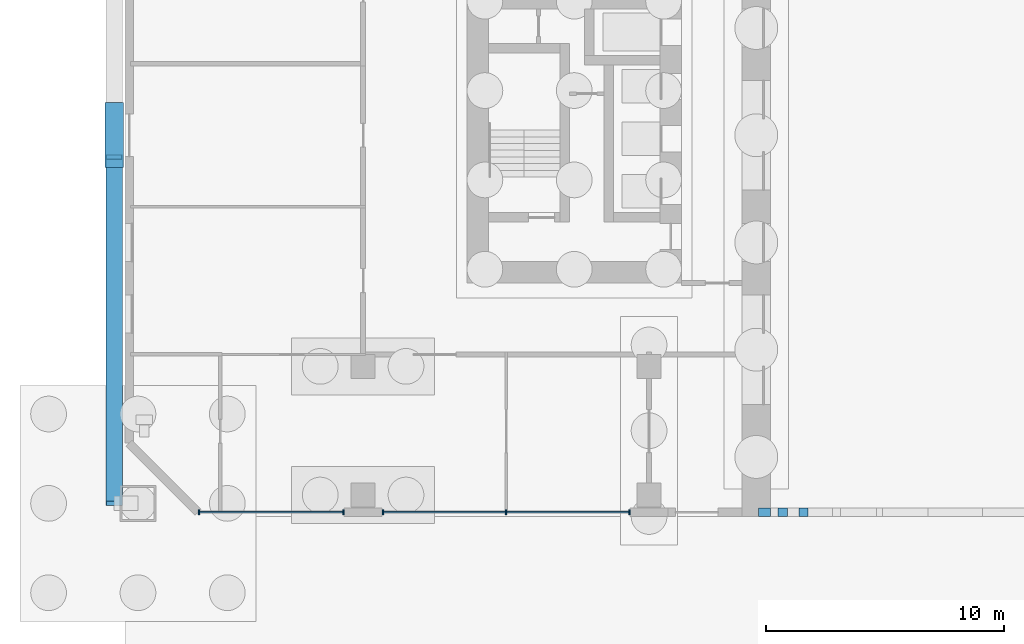
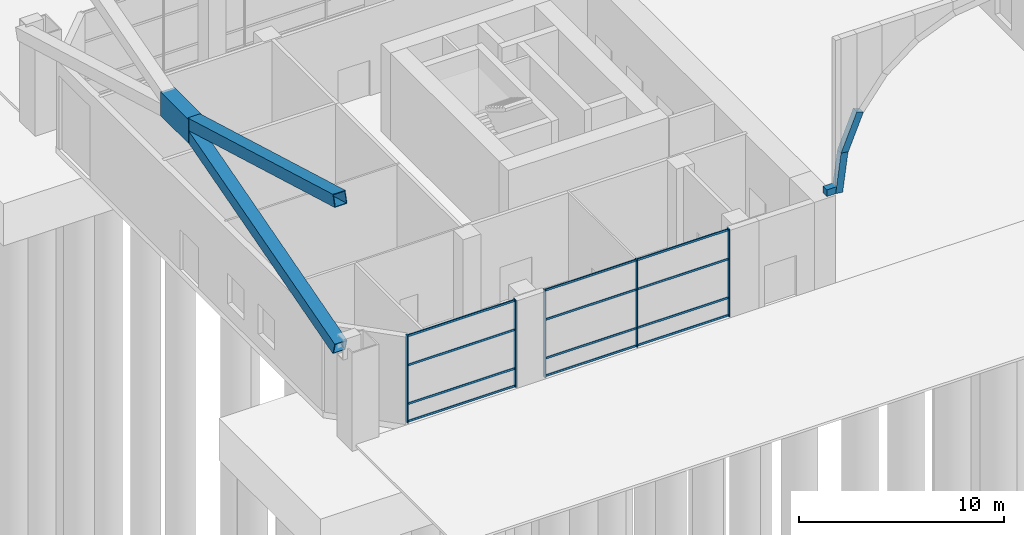
# One storey, part 3 of 26: 20 members, 3 beams, 2 elements without a shape of their own.
"""IFC4 building model written with IfcOpenShell, lengths in metres."""

from ifc_helpers import new_model, si_unit, direction, frame, origin, origin_2d, place, context, subcontext, project, spatial, rectangle, hollow_rectangle, extrude, material, material_profile, profile_set, type_object, element, aggregate, save


model = new_model("IFC4")

# Units and contexts
model_context = context("Model", 3, precision=1e-05, world=origin(), true_north=direction((0.0, 1.0)))
body_context = subcontext(model_context, "Body", "Model", "MODEL_VIEW")
ifc_project = project(units=[si_unit("LENGTHUNIT", "METRE"), si_unit("AREAUNIT", "SQUARE_METRE"), si_unit("VOLUMEUNIT", "CUBIC_METRE"), si_unit("PLANEANGLEUNIT", "RADIAN"), si_unit("MASSUNIT", "GRAM", prefix="KILO")], contexts=[model_context])

# Site, building, storey
site_placement = place(None, origin())
site = spatial("IfcSite", under=ifc_project, at=site_placement, CompositionType="ELEMENT")
building_placement = place(site_placement, origin())
building = spatial("IfcBuilding", under=site, at=building_placement, Name="Tuart Gate Housing", CompositionType="ELEMENT")
storey_placement = place(building_placement, origin())
storey = spatial("IfcBuildingStorey", under=building, at=storey_placement, Name="L00", CompositionType="ELEMENT", Elevation=0.0)

# Members
ifc_material_1 = material(Name="Steel Grade 350", Category="steel")
ifc_material_profile_1 = material_profile(ifc_material_1, rectangle(XDim=2.72705078125, YDim=1.419921875, at=origin_2d()), Name="Brace node plate 2727 x 1420")
ifc_profile_set_1 = profile_set([ifc_material_profile_1], Name="Steel Grade 350")
member_type_1 = type_object("IfcMemberType", Name="Brace node plate 2727 x 1420", PredefinedType="PLATE", material=ifc_profile_set_1)
member_1_placement = place(storey_placement, frame((17.1650390625, 70.0, 9.89990234375), z_axis=(1.0, 0.0, 0.0), x_axis=(0.0, 1.0, 0.0)))
element("IfcMember", 1, at=member_1_placement, inside=storey, type_object=member_type_1, Name="Brace node A zone 0 west", PredefinedType="PLATE", context=body_context, shape_type="SweptSolid", body=[
    extrude(rectangle(XDim=2.72705078125, YDim=1.419921875, at=origin_2d()), origin(), (0.0, 0.0, 1.0), 0.77001953125),
])
ifc_material_2 = material(Name="Steel Grade 350", Category="steel")
ifc_material_profile_2 = material_profile(ifc_material_2, hollow_rectangle(XDim=0.699951171875, YDim=0.699951171875, WallThickness=0.034912109375, at=origin_2d()), Name="BOX 700x700x35")
ifc_profile_set_2 = profile_set([ifc_material_profile_2], Name="Steel Grade 350")
member_type_2 = type_object("IfcMemberType", Name="Mega brace BOX 700x700x35", PredefinedType="BRACE", material=ifc_profile_set_2)
for number, where, z_axis, x_axis, name in (
    (2, (17.550048828125, 54.550048828125, 5.5), (0.0, 0.961755843044, 0.273908193324), (-1.0, 0.0, 0.0), "Mega brace A zone 0 west cross 1 a"),
    (3, (17.550048828125, 69.086181640625, 10.16015625), (0.0, -0.961755843044, 0.273908193324), (1.0, 0.0, 0.0), "Mega brace A zone 0 west cross 2 b"),
):
    element("IfcMember", number, at=place(storey_placement, frame(where, z_axis=z_axis, x_axis=x_axis)), inside=storey, type_object=member_type_2, Name=name, PredefinedType="BRACE", context=body_context, shape_type="SweptSolid", body=[
        extrude(hollow_rectangle(XDim=0.699951171875, YDim=0.699951171875, WallThickness=0.034912109375, at=origin_2d()), origin(), (0.0, 0.0, 1.0), 15.1142578125),
    ])

# Curtain wall, members
ifc_material_3 = material(Name="Aluminium and clear glass", Category="aluminium")
curtain_wall_type = type_object("IfcCurtainWallType", Name="Ground storey glazing", PredefinedType="USERDEFINED", material=ifc_material_3)
curtain_wall_1_placement = place(storey_placement, origin())
curtain_wall_1 = element("IfcCurtainWall", 4, at=curtain_wall_1_placement, inside=storey, type_object=curtain_wall_type, Name="Ground storey glazing A-S L00", ObjectType="GROUND STOREY GLAZING", PredefinedType="USERDEFINED")
ifc_material_4 = material(Name="Anodised aluminium", Category="aluminium")
ifc_material_profile_3 = material_profile(ifc_material_4, rectangle(XDim=0.06005859375, YDim=0.199951171875, at=origin_2d()), Name="60x200")
ifc_profile_set_3 = profile_set([ifc_material_profile_3], Name="Anodised aluminium")
member_type_3 = type_object("IfcMemberType", Name="Mullion 60 x 200", PredefinedType="MULLION", material=ifc_profile_set_3)
member_2_placement = place(storey_placement, frame((21.1044921875, 54.179931640625, 0.0), z_axis=(0.0, 0.0, 1.0), x_axis=(1.0, 0.0, 0.0)))
member_2 = element("IfcMember", 5, at=member_2_placement, type_object=member_type_3, Name="CW2 mullion 1", PredefinedType="MULLION", context=body_context, shape_type="SweptSolid", body=[
    extrude(rectangle(XDim=0.06005859375, YDim=0.199951171875, at=origin_2d()), origin(), (0.0, 0.0, 1.0), 5.199951171875),
])
member_3_placement = place(storey_placement, frame((27.169921875, 54.179931640625, 0.0), z_axis=(0.0, 0.0, 1.0), x_axis=(1.0, 0.0, 0.0)))
member_3 = element("IfcMember", 6, at=member_3_placement, type_object=member_type_3, Name="CW2 mullion 2", PredefinedType="MULLION", context=body_context, shape_type="SweptSolid", body=[
    extrude(rectangle(XDim=0.06005859375, YDim=0.199951171875, at=origin_2d()), origin(), (0.0, 0.0, 1.0), 5.199951171875),
])

curtain_wall_2_placement = place(storey_placement, origin())
curtain_wall_2 = element("IfcCurtainWall", 7, at=curtain_wall_2_placement, inside=storey, type_object=curtain_wall_type, Name="Ground storey glazing A-S L00", ObjectType="GROUND STOREY GLAZING", PredefinedType="USERDEFINED")
member_4_placement = place(storey_placement, frame((28.830078125, 54.179931640625, 0.0), z_axis=(0.0, 0.0, 1.0), x_axis=(1.0, 0.0, 0.0)))
member_4 = element("IfcMember", 8, at=member_4_placement, type_object=member_type_3, Name="CW2 mullion 1", PredefinedType="MULLION", context=body_context, shape_type="SweptSolid", body=[
    extrude(rectangle(XDim=0.06005859375, YDim=0.199951171875, at=origin_2d()), origin(), (0.0, 0.0, 1.0), 5.199951171875),
])
member_5_placement = place(storey_placement, frame((34.0, 54.179931640625, 0.0), z_axis=(0.0, 0.0, 1.0), x_axis=(1.0, 0.0, 0.0)))
member_5 = element("IfcMember", 9, at=member_5_placement, type_object=member_type_3, Name="CW2 mullion 2", PredefinedType="MULLION", context=body_context, shape_type="SweptSolid", body=[
    extrude(rectangle(XDim=0.06005859375, YDim=0.199951171875, at=origin_2d()), origin(), (0.0, 0.0, 1.0), 5.199951171875),
])
member_6_placement = place(storey_placement, frame((39.169921875, 54.179931640625, 0.0), z_axis=(0.0, 0.0, 1.0), x_axis=(1.0, 0.0, 0.0)))
member_6 = element("IfcMember", 10, at=member_6_placement, type_object=member_type_3, Name="CW2 mullion 3", PredefinedType="MULLION", context=body_context, shape_type="SweptSolid", body=[
    extrude(rectangle(XDim=0.06005859375, YDim=0.199951171875, at=origin_2d()), origin(), (0.0, 0.0, 1.0), 5.199951171875),
])

# Beams
ifc_material_5 = material(Name="Concrete C50", Category="concrete")
ifc_material_profile_4 = material_profile(ifc_material_5, rectangle(XDim=0.360107421875, YDim=0.39990234375, at=origin_2d()), Name="RC arch ring 360 x 400")
ifc_profile_set_4 = profile_set([ifc_material_profile_4], Name="Concrete C50")
beam_type = type_object("IfcBeamType", Name="RC arch ring 360 x 400", PredefinedType="BEAM", material=ifc_profile_set_4)
for number, where, z_axis, x_axis, name in (
    (11, (45.29833984375, 54.179931640625, 5.27392578125), (0.130511595593, 0.0, 0.991446782947), (0.0, 1.0, 0.0), "Arch rib beam AS segment 0"),
    (12, (45.587890625, 54.179931640625, 7.527099609375), (0.382704452476, 0.0, 0.923870825416), (0.0, 1.0, 0.0), "Arch rib beam AS segment 1"),
):
    element("IfcBeam", number, at=place(storey_placement, frame(where, z_axis=z_axis, x_axis=x_axis)), inside=storey, type_object=beam_type, Name=name, PredefinedType="BEAM", context=body_context, shape_type="SweptSolid", body=[
        extrude(rectangle(XDim=0.360107421875, YDim=0.39990234375, at=origin_2d()), origin(), (0.0, 0.0, 1.0), 2.3232421875),
    ])
beam_placement = place(storey_placement, frame((44.60009765625, 54.179931640625, 5.5), z_axis=(1.0, 0.0, 0.0), x_axis=(0.0, 1.0, 0.0)))
element("IfcBeam", 13, at=beam_placement, inside=storey, type_object=beam_type, Name="Arch seat beam AS west", PredefinedType="BEAM", context=body_context, shape_type="SweptSolid", body=[
    extrude(rectangle(XDim=0.360107421875, YDim=0.39990234375, at=origin_2d()), origin(), (0.0, 0.0, 1.0), 0.849853515625),
])

# Member
ifc_material_6 = material(Name="Anodised aluminium", Category="aluminium")
ifc_material_profile_5 = material_profile(ifc_material_6, rectangle(XDim=0.06005859375, YDim=0.1201171875, at=origin_2d()), Name="60x120")
ifc_profile_set_5 = profile_set([ifc_material_profile_5], Name="Anodised aluminium")
member_type_4 = type_object("IfcMemberType", Name="Transom 60 x 120", PredefinedType="USERDEFINED", material=ifc_profile_set_5)
member_7_placement = place(storey_placement, frame((21.134521484375, 54.179931640625, 0.06005859375), z_axis=(1.0, 0.0, 0.0), x_axis=(0.0, 1.0, 0.0)))
member_7 = element("IfcMember", 14, at=member_7_placement, type_object=member_type_4, Name="CW2 transom 1.1", ObjectType="TRANSOM", PredefinedType="USERDEFINED", context=body_context, shape_type="SweptSolid", body=[
    extrude(rectangle(XDim=0.06005859375, YDim=0.1201171875, at=origin_2d()), origin(), (0.0, 0.0, 1.0), 6.00537109375),
])

member_8_placement = place(storey_placement, frame((21.134521484375, 54.179931640625, 1.10009765625), z_axis=(1.0, 0.0, 0.0), x_axis=(0.0, 1.0, 0.0)))
member_8 = element("IfcMember", 15, at=member_8_placement, type_object=member_type_4, Name="CW2 transom 1.2", ObjectType="TRANSOM", PredefinedType="USERDEFINED", context=body_context, shape_type="SweptSolid", body=[
    extrude(rectangle(XDim=0.06005859375, YDim=0.1201171875, at=origin_2d()), origin(), (0.0, 0.0, 1.0), 6.00537109375),
])

member_9_placement = place(storey_placement, frame((21.134521484375, 54.179931640625, 3.39990234375), z_axis=(1.0, 0.0, 0.0), x_axis=(0.0, 1.0, 0.0)))
member_9 = element("IfcMember", 16, at=member_9_placement, type_object=member_type_4, Name="CW2 transom 1.3", ObjectType="TRANSOM", PredefinedType="USERDEFINED", context=body_context, shape_type="SweptSolid", body=[
    extrude(rectangle(XDim=0.06005859375, YDim=0.1201171875, at=origin_2d()), origin(), (0.0, 0.0, 1.0), 6.00537109375),
])

member_10_placement = place(storey_placement, frame((21.134521484375, 54.179931640625, 5.139892578125), z_axis=(1.0, 0.0, 0.0), x_axis=(0.0, 1.0, 0.0)))
member_10 = element("IfcMember", 17, at=member_10_placement, type_object=member_type_4, Name="CW2 transom 1.4", ObjectType="TRANSOM", PredefinedType="USERDEFINED", context=body_context, shape_type="SweptSolid", body=[
    extrude(rectangle(XDim=0.06005859375, YDim=0.1201171875, at=origin_2d()), origin(), (0.0, 0.0, 1.0), 6.00537109375),
])

aggregate(curtain_wall_1, [member_2, member_3, member_7, member_8, member_9, member_10])

member_11_placement = place(storey_placement, frame((28.860107421875, 54.179931640625, 0.06005859375), z_axis=(1.0, 0.0, 0.0), x_axis=(0.0, 1.0, 0.0)))
member_11 = element("IfcMember", 18, at=member_11_placement, type_object=member_type_4, Name="CW2 transom 1.1", ObjectType="TRANSOM", PredefinedType="USERDEFINED", context=body_context, shape_type="SweptSolid", body=[
    extrude(rectangle(XDim=0.06005859375, YDim=0.1201171875, at=origin_2d()), origin(), (0.0, 0.0, 1.0), 5.10986328125),
])

member_12_placement = place(storey_placement, frame((28.860107421875, 54.179931640625, 1.10009765625), z_axis=(1.0, 0.0, 0.0), x_axis=(0.0, 1.0, 0.0)))
member_12 = element("IfcMember", 19, at=member_12_placement, type_object=member_type_4, Name="CW2 transom 1.2", ObjectType="TRANSOM", PredefinedType="USERDEFINED", context=body_context, shape_type="SweptSolid", body=[
    extrude(rectangle(XDim=0.06005859375, YDim=0.1201171875, at=origin_2d()), origin(), (0.0, 0.0, 1.0), 5.10986328125),
])

member_13_placement = place(storey_placement, frame((28.860107421875, 54.179931640625, 3.39990234375), z_axis=(1.0, 0.0, 0.0), x_axis=(0.0, 1.0, 0.0)))
member_13 = element("IfcMember", 20, at=member_13_placement, type_object=member_type_4, Name="CW2 transom 1.3", ObjectType="TRANSOM", PredefinedType="USERDEFINED", context=body_context, shape_type="SweptSolid", body=[
    extrude(rectangle(XDim=0.06005859375, YDim=0.1201171875, at=origin_2d()), origin(), (0.0, 0.0, 1.0), 5.10986328125),
])

member_14_placement = place(storey_placement, frame((28.860107421875, 54.179931640625, 5.139892578125), z_axis=(1.0, 0.0, 0.0), x_axis=(0.0, 1.0, 0.0)))
member_14 = element("IfcMember", 21, at=member_14_placement, type_object=member_type_4, Name="CW2 transom 1.4", ObjectType="TRANSOM", PredefinedType="USERDEFINED", context=body_context, shape_type="SweptSolid", body=[
    extrude(rectangle(XDim=0.06005859375, YDim=0.1201171875, at=origin_2d()), origin(), (0.0, 0.0, 1.0), 5.10986328125),
])

member_15_placement = place(storey_placement, frame((34.030029296875, 54.179931640625, 0.06005859375), z_axis=(1.0, 0.0, 0.0), x_axis=(0.0, 1.0, 0.0)))
member_15 = element("IfcMember", 22, at=member_15_placement, type_object=member_type_4, Name="CW2 transom 2.1", ObjectType="TRANSOM", PredefinedType="USERDEFINED", context=body_context, shape_type="SweptSolid", body=[
    extrude(rectangle(XDim=0.06005859375, YDim=0.1201171875, at=origin_2d()), origin(), (0.0, 0.0, 1.0), 5.10986328125),
])

member_16_placement = place(storey_placement, frame((34.030029296875, 54.179931640625, 1.10009765625), z_axis=(1.0, 0.0, 0.0), x_axis=(0.0, 1.0, 0.0)))
member_16 = element("IfcMember", 23, at=member_16_placement, type_object=member_type_4, Name="CW2 transom 2.2", ObjectType="TRANSOM", PredefinedType="USERDEFINED", context=body_context, shape_type="SweptSolid", body=[
    extrude(rectangle(XDim=0.06005859375, YDim=0.1201171875, at=origin_2d()), origin(), (0.0, 0.0, 1.0), 5.10986328125),
])

member_17_placement = place(storey_placement, frame((34.030029296875, 54.179931640625, 3.39990234375), z_axis=(1.0, 0.0, 0.0), x_axis=(0.0, 1.0, 0.0)))
member_17 = element("IfcMember", 24, at=member_17_placement, type_object=member_type_4, Name="CW2 transom 2.3", ObjectType="TRANSOM", PredefinedType="USERDEFINED", context=body_context, shape_type="SweptSolid", body=[
    extrude(rectangle(XDim=0.06005859375, YDim=0.1201171875, at=origin_2d()), origin(), (0.0, 0.0, 1.0), 5.10986328125),
])

member_18_placement = place(storey_placement, frame((34.030029296875, 54.179931640625, 5.139892578125), z_axis=(1.0, 0.0, 0.0), x_axis=(0.0, 1.0, 0.0)))
member_18 = element("IfcMember", 25, at=member_18_placement, type_object=member_type_4, Name="CW2 transom 2.4", ObjectType="TRANSOM", PredefinedType="USERDEFINED", context=body_context, shape_type="SweptSolid", body=[
    extrude(rectangle(XDim=0.06005859375, YDim=0.1201171875, at=origin_2d()), origin(), (0.0, 0.0, 1.0), 5.10986328125),
])

aggregate(curtain_wall_2, [member_4, member_5, member_6, member_11, member_12, member_13, member_14, member_15, member_16, member_17, member_18])

save(model, "model.ifc")
